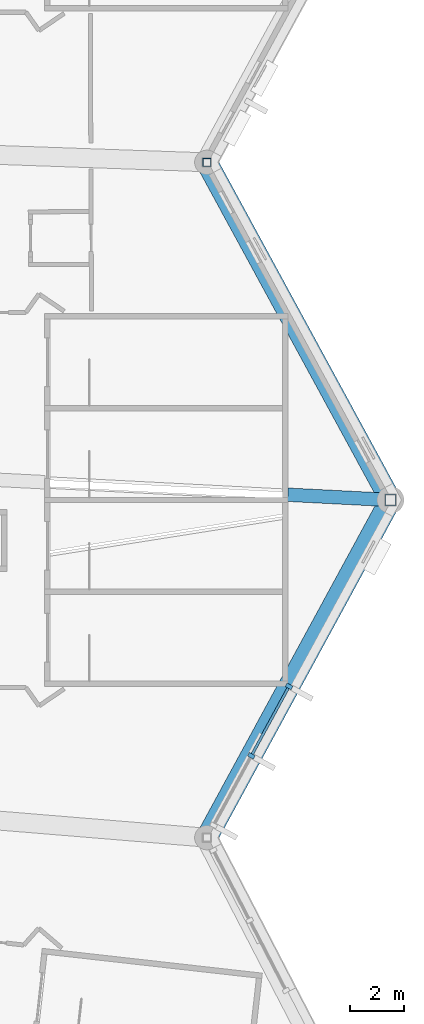
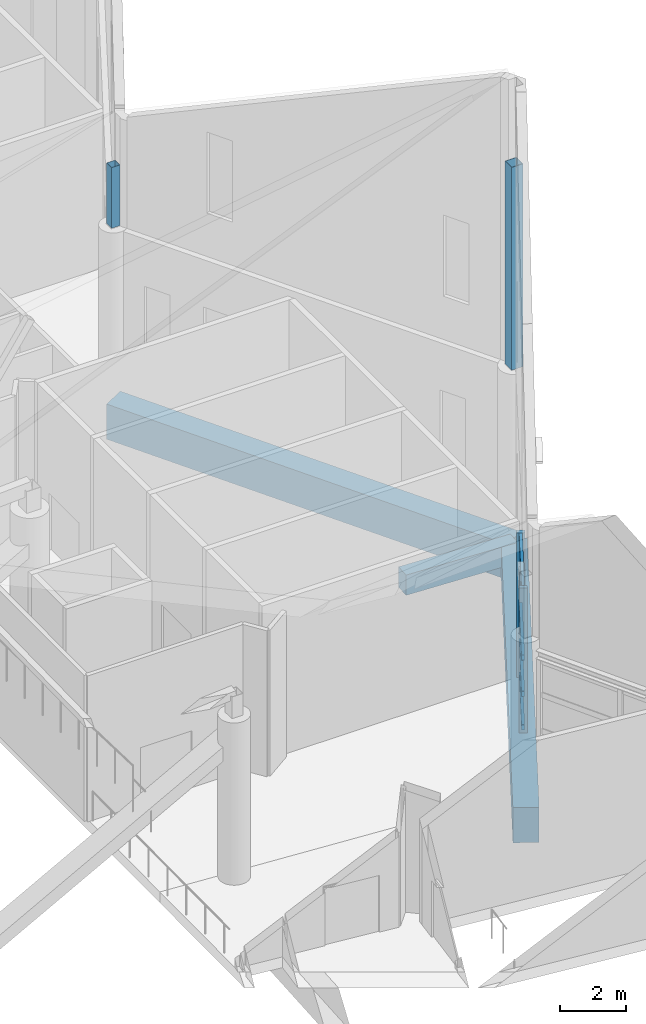
# One storey, part 114 of 344: 9 members, 3 beams, 1 element without a shape of its own.
"""IFC4 building model written with IfcOpenShell, lengths in metres."""

from ifc_helpers import new_model, si_unit, direction, frame, origin, origin_2d, place, context, subcontext, project, spatial, rectangle, hollow_rectangle, extrude, material, layer, layer_set, material_profile, profile_set, type_object, element, aggregate, save


model = new_model("IFC4")

# Units and contexts
model_context = context("Model", 3, precision=1e-05, world=origin(), true_north=direction((0.0, 1.0)))
body_context = subcontext(model_context, "Body", "Model", "MODEL_VIEW")
ifc_project = project(units=[si_unit("LENGTHUNIT", "METRE"), si_unit("AREAUNIT", "SQUARE_METRE"), si_unit("VOLUMEUNIT", "CUBIC_METRE"), si_unit("PLANEANGLEUNIT", "RADIAN"), si_unit("MASSUNIT", "GRAM", prefix="KILO")], contexts=[model_context])

# Site, building, storey
site_placement = place(None, origin())
site = spatial("IfcSite", under=ifc_project, at=site_placement, CompositionType="ELEMENT")
building_placement = place(site_placement, origin())
building = spatial("IfcBuilding", under=site, at=building_placement, Name="Meseta Stadium", CompositionType="ELEMENT")
storey_placement = place(building_placement, frame((0.0, 0.0, 24.0)))
storey = spatial("IfcBuildingStorey", under=building, at=storey_placement, Name="L04", CompositionType="ELEMENT", Elevation=24.0)

# Curtain wall, members
ifc_material_1 = material(Name="Steel S355", Category="steel")
ifc_layer = layer(ifc_material_1, 0.300048828125)
ifc_layer_set = layer_set([ifc_layer], Name="Valley atrium curtain wall")
curtain_wall_type = type_object("IfcCurtainWallType", Name="Valley atrium curtain wall", PredefinedType="NOTDEFINED", material=ifc_layer_set)
curtain_wall_placement = place(storey_placement, origin())
curtain_wall = element("IfcCurtainWall", 1, at=curtain_wall_placement, inside=storey, type_object=curtain_wall_type, Name="Valley atrium glazing F01", PredefinedType="NOTDEFINED")
ifc_material_2 = material(Name="Steel S355", Category="steel")
ifc_material_profile_1 = material_profile(ifc_material_2, rectangle(XDim=0.25, YDim=0.14990234375, at=origin_2d()), Name="CW 250x150")
ifc_profile_set_1 = profile_set([ifc_material_profile_1], Name="Steel S355")
member_type_1 = type_object("IfcMemberType", Name="CW mullion bar 250x150", PredefinedType="MULLION", material=ifc_profile_set_1)
member_1_placement = place(storey_placement, frame((96.24853515625, -40.719482421875, 0.0), z_axis=(0.0, 0.0, 1.0), x_axis=(-0.8784321511, 0.477867090218, 0.0)))
member_1 = element("IfcMember", 2, at=member_1_placement, type_object=member_type_1, Name="CWA mullion 2", PredefinedType="MULLION", context=body_context, shape_type="SweptSolid", body=[
    extrude(rectangle(XDim=0.25, YDim=0.14990234375, at=origin_2d()), origin(), (0.0, 0.0, 1.0), 5.35009765625),
])
member_2_placement = place(storey_placement, frame((97.646240234375, -38.150146484375, 0.0), z_axis=(0.0, 0.0, 1.0), x_axis=(-0.8784321511, 0.477867090218, 0.0)))
member_2 = element("IfcMember", 3, at=member_2_placement, type_object=member_type_1, Name="CWA mullion 3", PredefinedType="MULLION", context=body_context, shape_type="SweptSolid", body=[
    extrude(rectangle(XDim=0.25, YDim=0.14990234375, at=origin_2d()), origin(), (0.0, 0.0, 1.0), 5.35009765625),
])
ifc_material_3 = material(Name="Steel S355", Category="steel")
ifc_material_profile_2 = material_profile(ifc_material_3, hollow_rectangle(XDim=0.10009765625, YDim=0.199951171875, WallThickness=0.008056640625, at=origin_2d()), Name="RHS 200x100x8")
ifc_profile_set_2 = profile_set([ifc_material_profile_2], Name="Steel S355")
member_type_2 = type_object("IfcMemberType", Name="CW transom RHS 200x100x8", PredefinedType="USERDEFINED", material=ifc_profile_set_2)
member_3_placement = place(storey_placement, frame((96.284423828125, -40.653564453125, 0.10009765625), z_axis=(0.477914884213, 0.878406149482, 0.0), x_axis=(-0.878406149482, 0.477914884213, 0.0)))
member_3 = element("IfcMember", 4, at=member_3_placement, type_object=member_type_2, Name="CWA transom 2.1", ObjectType="TRANSOM", PredefinedType="USERDEFINED", context=body_context, shape_type="SweptSolid", body=[
    extrude(hollow_rectangle(XDim=0.10009765625, YDim=0.199951171875, WallThickness=0.008056640625, at=origin_2d()), origin(), (0.0, 0.0, 1.0), 2.77490234375),
])
member_4_placement = place(storey_placement, frame((96.284423828125, -40.653564453125, 1.33740234375), z_axis=(0.477914884213, 0.878406149482, 0.0), x_axis=(-0.878406149482, 0.477914884213, 0.0)))
member_4 = element("IfcMember", 5, at=member_4_placement, type_object=member_type_2, Name="CWA transom 2.2", ObjectType="TRANSOM", PredefinedType="USERDEFINED", context=body_context, shape_type="SweptSolid", body=[
    extrude(hollow_rectangle(XDim=0.10009765625, YDim=0.199951171875, WallThickness=0.008056640625, at=origin_2d()), origin(), (0.0, 0.0, 1.0), 2.77490234375),
])
member_5_placement = place(storey_placement, frame((96.284423828125, -40.653564453125, 2.675048828125), z_axis=(0.477914884213, 0.878406149482, 0.0), x_axis=(-0.878406149482, 0.477914884213, 0.0)))
member_5 = element("IfcMember", 6, at=member_5_placement, type_object=member_type_2, Name="CWA transom 2.3", ObjectType="TRANSOM", PredefinedType="USERDEFINED", context=body_context, shape_type="SweptSolid", body=[
    extrude(hollow_rectangle(XDim=0.10009765625, YDim=0.199951171875, WallThickness=0.008056640625, at=origin_2d()), origin(), (0.0, 0.0, 1.0), 2.77490234375),
])
member_6_placement = place(storey_placement, frame((96.284423828125, -40.653564453125, 4.012451171875), z_axis=(0.477914884213, 0.878406149482, 0.0), x_axis=(-0.878406149482, 0.477914884213, 0.0)))
member_6 = element("IfcMember", 7, at=member_6_placement, type_object=member_type_2, Name="CWA transom 2.4", ObjectType="TRANSOM", PredefinedType="USERDEFINED", context=body_context, shape_type="SweptSolid", body=[
    extrude(hollow_rectangle(XDim=0.10009765625, YDim=0.199951171875, WallThickness=0.008056640625, at=origin_2d()), origin(), (0.0, 0.0, 1.0), 2.77490234375),
])
member_7_placement = place(storey_placement, frame((96.284423828125, -40.653564453125, 5.25), z_axis=(0.477914884213, 0.878406149482, 0.0), x_axis=(-0.878406149482, 0.477914884213, 0.0)))
member_7 = element("IfcMember", 8, at=member_7_placement, type_object=member_type_2, Name="CWA transom 2.5", ObjectType="TRANSOM", PredefinedType="USERDEFINED", context=body_context, shape_type="SweptSolid", body=[
    extrude(hollow_rectangle(XDim=0.10009765625, YDim=0.199951171875, WallThickness=0.008056640625, at=origin_2d()), origin(), (0.0, 0.0, 1.0), 2.77490234375),
])
aggregate(curtain_wall, [member_1, member_2, member_3, member_4, member_5, member_6, member_7])

# Beams
ifc_material_4 = material(Name="Concrete C40/50", Category="concrete")
ifc_material_profile_3 = material_profile(ifc_material_4, rectangle(XDim=0.5, YDim=0.75, at=origin_2d()), Name="RC 500x750")
ifc_profile_set_3 = profile_set([ifc_material_profile_3], Name="Concrete C40/50")
beam_type_1 = type_object("IfcBeamType", Name="RC beam 500x750", PredefinedType="BEAM", material=ifc_profile_set_3)
beam_placement = place(storey_placement, frame((97.60009765625, -31.0546875, -0.77490234375), z_axis=(0.998681597522, -0.05133290144, 0.0), x_axis=(0.05133290144, 0.998681597522, 0.0)))
element("IfcBeam", 9, at=beam_placement, inside=storey, type_object=beam_type_1, Name="L04 radial beam frame 2 line P to R", PredefinedType="BEAM", context=body_context, shape_type="SweptSolid", body=[
    extrude(rectangle(XDim=0.5, YDim=0.75, at=origin_2d()), origin(), (0.0, 0.0, 1.0), 3.804931640625),
])
ifc_material_5 = material(Name="Concrete C40/50", Category="concrete")
ifc_material_profile_4 = material_profile(ifc_material_5, rectangle(XDim=0.800048828125, YDim=1.300048828125, at=origin_2d()), Name="RC 800x1300")
ifc_profile_set_4 = profile_set([ifc_material_profile_4], Name="Concrete C40/50")
beam_type_2 = type_object("IfcBeamType", Name="RC beam 800x1300", PredefinedType="BEAM", material=ifc_profile_set_4)
for number, where, z_axis, x_axis, name in (
    (10, (94.60009765625, -43.75, -1.050048828125), (0.47785649891, 0.878437912689, 0.0), (-0.878437912689, 0.47785649891, 0.0), "L04 ring beam frame 1 line R"),
    (11, (101.39990234375, -31.25, -1.050048828125), (-0.47785649891, 0.878437912689, 0.0), (-0.878437912689, -0.47785649891, 0.0), "L04 ring beam frame 2 line R"),
):
    element("IfcBeam", number, at=place(storey_placement, frame(where, z_axis=z_axis, x_axis=x_axis)), inside=storey, type_object=beam_type_2, Name=name, PredefinedType="BEAM", context=body_context, shape_type="SweptSolid", body=[
        extrude(rectangle(XDim=0.800048828125, YDim=1.300048828125, at=origin_2d()), origin(), (0.0, 0.0, 1.0), 14.229736328125),
    ])

# Members
ifc_material_6 = material(Name="Steel S355", Category="steel")
ifc_material_profile_5 = material_profile(ifc_material_6, hollow_rectangle(XDim=0.300048828125, YDim=0.300048828125, WallThickness=0.010009765625, at=origin_2d()), Name="SHS 300x300x10")
ifc_profile_set_5 = profile_set([ifc_material_profile_5], Name="Steel S355")
member_type_3 = type_object("IfcMemberType", Name="SHS 300x300x10 rim post", PredefinedType="POST", material=ifc_profile_set_5)
member_8_placement = place(storey_placement, frame((94.60009765625, -18.75, 6.0), z_axis=(0.0, 0.0, 1.0), x_axis=(1.0, 0.0, 0.0)))
element("IfcMember", 12, at=member_8_placement, inside=storey, type_object=member_type_3, Name="ROOF RIM POST RT-03", PredefinedType="POST", context=body_context, shape_type="SweptSolid", body=[
    extrude(hollow_rectangle(XDim=0.300048828125, YDim=0.300048828125, WallThickness=0.010009765625, at=origin_2d()), origin(), (0.0, 0.0, 1.0), 2.244384765625),
])
ifc_material_7 = material(Name="Steel S355", Category="steel")
ifc_material_profile_6 = material_profile(ifc_material_7, hollow_rectangle(XDim=0.39990234375, YDim=0.39990234375, WallThickness=0.01416015625, at=origin_2d()), Name="SHS 400x400x14.2")
ifc_profile_set_6 = profile_set([ifc_material_profile_6], Name="Steel S355")
member_type_4 = type_object("IfcMemberType", Name="SHS 400x400x14.2 rim post", PredefinedType="POST", material=ifc_profile_set_6)
member_9_placement = place(storey_placement, frame((101.39990234375, -31.25, 6.0), z_axis=(0.0, 0.0, 1.0), x_axis=(1.0, 0.0, 0.0)))
element("IfcMember", 13, at=member_9_placement, inside=storey, type_object=member_type_4, Name="ROOF RIM POST RT-02", PredefinedType="POST", context=body_context, shape_type="SweptSolid", body=[
    extrude(hollow_rectangle(XDim=0.39990234375, YDim=0.39990234375, WallThickness=0.01416015625, at=origin_2d()), origin(), (0.0, 0.0, 1.0), 7.5009765625),
])

save(model, "model.ifc")
